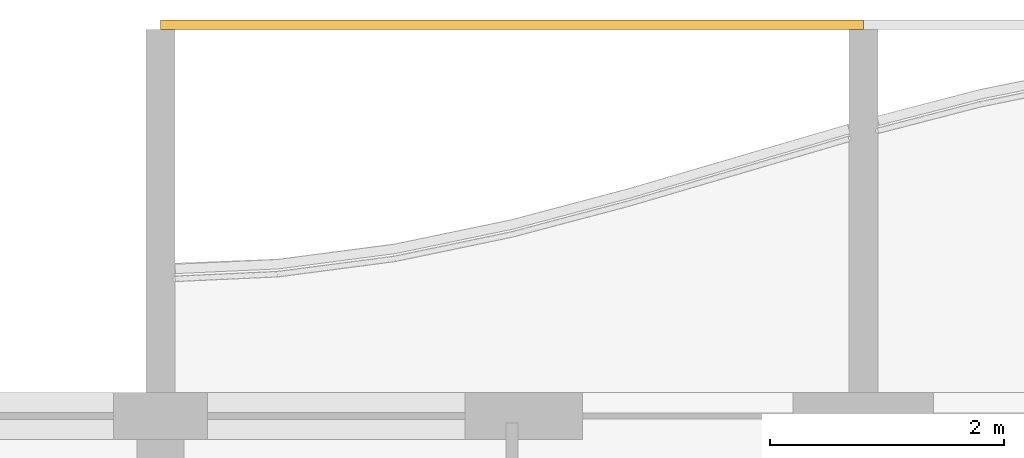
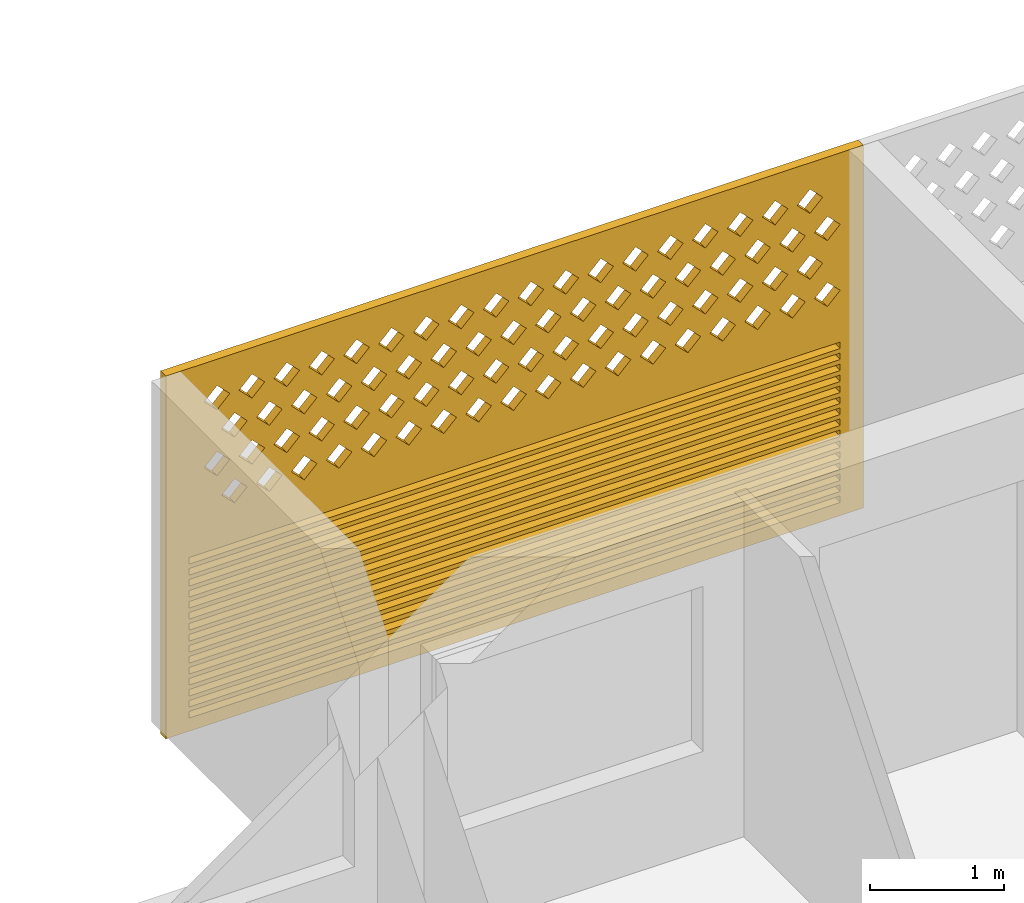
# One storey, part 32 of 38: 1 covering.
"""IFC4 building model written with IfcOpenShell, lengths in metres."""

from ifc_helpers import new_model, si_unit, direction, frame, origin, place, context, subcontext, project, spatial, polyline, outline, extrude, source, transform, mapped, material, material_profile, profile_set, type_object, element, save


model = new_model("IFC4")

# Units and contexts
model_context = context("Model", 3, precision=1e-05, world=origin(), true_north=direction((0.0, 1.0)))
body_context = subcontext(model_context, "Body", "Model", "MODEL_VIEW")
ifc_project = project(units=[si_unit("LENGTHUNIT", "METRE"), si_unit("AREAUNIT", "SQUARE_METRE"), si_unit("VOLUMEUNIT", "CUBIC_METRE"), si_unit("PLANEANGLEUNIT", "RADIAN"), si_unit("MASSUNIT", "GRAM", prefix="KILO")], contexts=[model_context])

# Site, building, storey
site_placement = place(None, origin())
site = spatial("IfcSite", under=ifc_project, at=site_placement, CompositionType="ELEMENT")
building_placement = place(site_placement, origin())
building = spatial("IfcBuilding", under=site, at=building_placement, Name="Poui Terraces", CompositionType="ELEMENT")
storey_placement = place(building_placement, frame((0.0, 0.0, 46.5)))
storey = spatial("IfcBuildingStorey", under=building, at=storey_placement, Name="L12", CompositionType="ELEMENT", Elevation=46.5)

# Covering
ifc_material = material(Name="Terracotta screen", Category="masonry")
ifc_material_profile = material_profile(ifc_material, outline(polyline([(-3.0, -1.64990234375), (3.0, -1.64990234375), (3.0, 1.64990234375), (-3.0, 1.64990234375), (-3.0, -1.64990234375)]), holes=[polyline([(-2.800048828125, 0.39990234375), (-2.68994140625, 0.2900390625), (-2.580078125, 0.39990234375), (-2.68994140625, 0.510009765625), (-2.800048828125, 0.39990234375)]), polyline([(-2.5, 0.39990234375), (-2.389892578125, 0.2900390625), (-2.280029296875, 0.39990234375), (-2.389892578125, 0.510009765625), (-2.5, 0.39990234375)]), polyline([(-2.199951171875, 0.39990234375), (-2.090087890625, 0.2900390625), (-1.97998046875, 0.39990234375), (-2.090087890625, 0.510009765625), (-2.199951171875, 0.39990234375)]), polyline([(-1.89990234375, 0.39990234375), (-1.7900390625, 0.2900390625), (-1.679931640625, 0.39990234375), (-1.7900390625, 0.510009765625), (-1.89990234375, 0.39990234375)]), polyline([(-1.60009765625, 0.39990234375), (-1.489990234375, 0.2900390625), (-1.3798828125, 0.39990234375), (-1.489990234375, 0.510009765625), (-1.60009765625, 0.39990234375)]), polyline([(-1.300048828125, 0.39990234375), (-1.18994140625, 0.2900390625), (-1.080078125, 0.39990234375), (-1.18994140625, 0.510009765625), (-1.300048828125, 0.39990234375)]), polyline([(-1.0, 0.39990234375), (-0.889892578125, 0.2900390625), (-0.780029296875, 0.39990234375), (-0.889892578125, 0.510009765625), (-1.0, 0.39990234375)]), polyline([(-0.699951171875, 0.39990234375), (-0.590087890625, 0.2900390625), (-0.47998046875, 0.39990234375), (-0.590087890625, 0.510009765625), (-0.699951171875, 0.39990234375)]), polyline([(-0.39990234375, 0.39990234375), (-0.2900390625, 0.2900390625), (-0.179931640625, 0.39990234375), (-0.2900390625, 0.510009765625), (-0.39990234375, 0.39990234375)]), polyline([(-0.10009765625, 0.39990234375), (0.010009765625, 0.2900390625), (0.1201171875, 0.39990234375), (0.010009765625, 0.510009765625), (-0.10009765625, 0.39990234375)]), polyline([(0.199951171875, 0.39990234375), (0.31005859375, 0.2900390625), (0.419921875, 0.39990234375), (0.31005859375, 0.510009765625), (0.199951171875, 0.39990234375)]), polyline([(0.5, 0.39990234375), (0.610107421875, 0.2900390625), (0.719970703125, 0.39990234375), (0.610107421875, 0.510009765625), (0.5, 0.39990234375)]), polyline([(0.800048828125, 0.39990234375), (0.909912109375, 0.2900390625), (1.02001953125, 0.39990234375), (0.909912109375, 0.510009765625), (0.800048828125, 0.39990234375)]), polyline([(1.10009765625, 0.39990234375), (1.2099609375, 0.2900390625), (1.320068359375, 0.39990234375), (1.2099609375, 0.510009765625), (1.10009765625, 0.39990234375)]), polyline([(1.39990234375, 0.39990234375), (1.510009765625, 0.2900390625), (1.6201171875, 0.39990234375), (1.510009765625, 0.510009765625), (1.39990234375, 0.39990234375)]), polyline([(1.699951171875, 0.39990234375), (1.81005859375, 0.2900390625), (1.919921875, 0.39990234375), (1.81005859375, 0.510009765625), (1.699951171875, 0.39990234375)]), polyline([(2.0, 0.39990234375), (2.110107421875, 0.2900390625), (2.219970703125, 0.39990234375), (2.110107421875, 0.510009765625), (2.0, 0.39990234375)]), polyline([(2.300048828125, 0.39990234375), (2.409912109375, 0.2900390625), (2.52001953125, 0.39990234375), (2.409912109375, 0.510009765625), (2.300048828125, 0.39990234375)]), polyline([(-2.64990234375, 0.699951171875), (-2.5400390625, 0.590087890625), (-2.429931640625, 0.699951171875), (-2.5400390625, 0.81005859375), (-2.64990234375, 0.699951171875)]), polyline([(-2.35009765625, 0.699951171875), (-2.239990234375, 0.590087890625), (-2.1298828125, 0.699951171875), (-2.239990234375, 0.81005859375), (-2.35009765625, 0.699951171875)]), polyline([(-2.050048828125, 0.699951171875), (-1.93994140625, 0.590087890625), (-1.830078125, 0.699951171875), (-1.93994140625, 0.81005859375), (-2.050048828125, 0.699951171875)]), polyline([(-1.75, 0.699951171875), (-1.639892578125, 0.590087890625), (-1.530029296875, 0.699951171875), (-1.639892578125, 0.81005859375), (-1.75, 0.699951171875)]), polyline([(-1.449951171875, 0.699951171875), (-1.340087890625, 0.590087890625), (-1.22998046875, 0.699951171875), (-1.340087890625, 0.81005859375), (-1.449951171875, 0.699951171875)]), polyline([(-1.14990234375, 0.699951171875), (-1.0400390625, 0.590087890625), (-0.929931640625, 0.699951171875), (-1.0400390625, 0.81005859375), (-1.14990234375, 0.699951171875)]), polyline([(-0.85009765625, 0.699951171875), (-0.739990234375, 0.590087890625), (-0.6298828125, 0.699951171875), (-0.739990234375, 0.81005859375), (-0.85009765625, 0.699951171875)]), polyline([(-0.550048828125, 0.699951171875), (-0.43994140625, 0.590087890625), (-0.330078125, 0.699951171875), (-0.43994140625, 0.81005859375), (-0.550048828125, 0.699951171875)]), polyline([(-0.25, 0.699951171875), (-0.139892578125, 0.590087890625), (-0.030029296875, 0.699951171875), (-0.139892578125, 0.81005859375), (-0.25, 0.699951171875)]), polyline([(0.050048828125, 0.699951171875), (0.159912109375, 0.590087890625), (0.27001953125, 0.699951171875), (0.159912109375, 0.81005859375), (0.050048828125, 0.699951171875)]), polyline([(0.35009765625, 0.699951171875), (0.4599609375, 0.590087890625), (0.570068359375, 0.699951171875), (0.4599609375, 0.81005859375), (0.35009765625, 0.699951171875)]), polyline([(0.64990234375, 0.699951171875), (0.760009765625, 0.590087890625), (0.8701171875, 0.699951171875), (0.760009765625, 0.81005859375), (0.64990234375, 0.699951171875)]), polyline([(0.949951171875, 0.699951171875), (1.06005859375, 0.590087890625), (1.169921875, 0.699951171875), (1.06005859375, 0.81005859375), (0.949951171875, 0.699951171875)]), polyline([(1.25, 0.699951171875), (1.360107421875, 0.590087890625), (1.469970703125, 0.699951171875), (1.360107421875, 0.81005859375), (1.25, 0.699951171875)]), polyline([(1.550048828125, 0.699951171875), (1.659912109375, 0.590087890625), (1.77001953125, 0.699951171875), (1.659912109375, 0.81005859375), (1.550048828125, 0.699951171875)]), polyline([(1.85009765625, 0.699951171875), (1.9599609375, 0.590087890625), (2.070068359375, 0.699951171875), (1.9599609375, 0.81005859375), (1.85009765625, 0.699951171875)]), polyline([(2.14990234375, 0.699951171875), (2.260009765625, 0.590087890625), (2.3701171875, 0.699951171875), (2.260009765625, 0.81005859375), (2.14990234375, 0.699951171875)]), polyline([(2.449951171875, 0.699951171875), (2.56005859375, 0.590087890625), (2.669921875, 0.699951171875), (2.56005859375, 0.81005859375), (2.449951171875, 0.699951171875)]), polyline([(-2.800048828125, 1.0), (-2.68994140625, 0.889892578125), (-2.580078125, 1.0), (-2.68994140625, 1.110107421875), (-2.800048828125, 1.0)]), polyline([(-2.5, 1.0), (-2.389892578125, 0.889892578125), (-2.280029296875, 1.0), (-2.389892578125, 1.110107421875), (-2.5, 1.0)]), polyline([(-2.199951171875, 1.0), (-2.090087890625, 0.889892578125), (-1.97998046875, 1.0), (-2.090087890625, 1.110107421875), (-2.199951171875, 1.0)]), polyline([(-1.89990234375, 1.0), (-1.7900390625, 0.889892578125), (-1.679931640625, 1.0), (-1.7900390625, 1.110107421875), (-1.89990234375, 1.0)]), polyline([(-1.60009765625, 1.0), (-1.489990234375, 0.889892578125), (-1.3798828125, 1.0), (-1.489990234375, 1.110107421875), (-1.60009765625, 1.0)]), polyline([(-1.300048828125, 1.0), (-1.18994140625, 0.889892578125), (-1.080078125, 1.0), (-1.18994140625, 1.110107421875), (-1.300048828125, 1.0)]), polyline([(-1.0, 1.0), (-0.889892578125, 0.889892578125), (-0.780029296875, 1.0), (-0.889892578125, 1.110107421875), (-1.0, 1.0)]), polyline([(-0.699951171875, 1.0), (-0.590087890625, 0.889892578125), (-0.47998046875, 1.0), (-0.590087890625, 1.110107421875), (-0.699951171875, 1.0)]), polyline([(-0.39990234375, 1.0), (-0.2900390625, 0.889892578125), (-0.179931640625, 1.0), (-0.2900390625, 1.110107421875), (-0.39990234375, 1.0)]), polyline([(-0.10009765625, 1.0), (0.010009765625, 0.889892578125), (0.1201171875, 1.0), (0.010009765625, 1.110107421875), (-0.10009765625, 1.0)]), polyline([(0.199951171875, 1.0), (0.31005859375, 0.889892578125), (0.419921875, 1.0), (0.31005859375, 1.110107421875), (0.199951171875, 1.0)]), polyline([(0.5, 1.0), (0.610107421875, 0.889892578125), (0.719970703125, 1.0), (0.610107421875, 1.110107421875), (0.5, 1.0)]), polyline([(0.800048828125, 1.0), (0.909912109375, 0.889892578125), (1.02001953125, 1.0), (0.909912109375, 1.110107421875), (0.800048828125, 1.0)]), polyline([(1.10009765625, 1.0), (1.2099609375, 0.889892578125), (1.320068359375, 1.0), (1.2099609375, 1.110107421875), (1.10009765625, 1.0)]), polyline([(1.39990234375, 1.0), (1.510009765625, 0.889892578125), (1.6201171875, 1.0), (1.510009765625, 1.110107421875), (1.39990234375, 1.0)]), polyline([(1.699951171875, 1.0), (1.81005859375, 0.889892578125), (1.919921875, 1.0), (1.81005859375, 1.110107421875), (1.699951171875, 1.0)]), polyline([(2.0, 1.0), (2.110107421875, 0.889892578125), (2.219970703125, 1.0), (2.110107421875, 1.110107421875), (2.0, 1.0)]), polyline([(2.300048828125, 1.0), (2.409912109375, 0.889892578125), (2.52001953125, 1.0), (2.409912109375, 1.110107421875), (2.300048828125, 1.0)]), polyline([(-2.64990234375, 1.300048828125), (-2.5400390625, 1.18994140625), (-2.429931640625, 1.300048828125), (-2.5400390625, 1.409912109375), (-2.64990234375, 1.300048828125)]), polyline([(-2.35009765625, 1.300048828125), (-2.239990234375, 1.18994140625), (-2.1298828125, 1.300048828125), (-2.239990234375, 1.409912109375), (-2.35009765625, 1.300048828125)]), polyline([(-2.050048828125, 1.300048828125), (-1.93994140625, 1.18994140625), (-1.830078125, 1.300048828125), (-1.93994140625, 1.409912109375), (-2.050048828125, 1.300048828125)]), polyline([(-1.75, 1.300048828125), (-1.639892578125, 1.18994140625), (-1.530029296875, 1.300048828125), (-1.639892578125, 1.409912109375), (-1.75, 1.300048828125)]), polyline([(-1.449951171875, 1.300048828125), (-1.340087890625, 1.18994140625), (-1.22998046875, 1.300048828125), (-1.340087890625, 1.409912109375), (-1.449951171875, 1.300048828125)]), polyline([(-1.14990234375, 1.300048828125), (-1.0400390625, 1.18994140625), (-0.929931640625, 1.300048828125), (-1.0400390625, 1.409912109375), (-1.14990234375, 1.300048828125)]), polyline([(-0.85009765625, 1.300048828125), (-0.739990234375, 1.18994140625), (-0.6298828125, 1.300048828125), (-0.739990234375, 1.409912109375), (-0.85009765625, 1.300048828125)]), polyline([(-0.550048828125, 1.300048828125), (-0.43994140625, 1.18994140625), (-0.330078125, 1.300048828125), (-0.43994140625, 1.409912109375), (-0.550048828125, 1.300048828125)]), polyline([(-0.25, 1.300048828125), (-0.139892578125, 1.18994140625), (-0.030029296875, 1.300048828125), (-0.139892578125, 1.409912109375), (-0.25, 1.300048828125)]), polyline([(0.050048828125, 1.300048828125), (0.159912109375, 1.18994140625), (0.27001953125, 1.300048828125), (0.159912109375, 1.409912109375), (0.050048828125, 1.300048828125)]), polyline([(0.35009765625, 1.300048828125), (0.4599609375, 1.18994140625), (0.570068359375, 1.300048828125), (0.4599609375, 1.409912109375), (0.35009765625, 1.300048828125)]), polyline([(0.64990234375, 1.300048828125), (0.760009765625, 1.18994140625), (0.8701171875, 1.300048828125), (0.760009765625, 1.409912109375), (0.64990234375, 1.300048828125)]), polyline([(0.949951171875, 1.300048828125), (1.06005859375, 1.18994140625), (1.169921875, 1.300048828125), (1.06005859375, 1.409912109375), (0.949951171875, 1.300048828125)]), polyline([(1.25, 1.300048828125), (1.360107421875, 1.18994140625), (1.469970703125, 1.300048828125), (1.360107421875, 1.409912109375), (1.25, 1.300048828125)]), polyline([(1.550048828125, 1.300048828125), (1.659912109375, 1.18994140625), (1.77001953125, 1.300048828125), (1.659912109375, 1.409912109375), (1.550048828125, 1.300048828125)]), polyline([(1.85009765625, 1.300048828125), (1.9599609375, 1.18994140625), (2.070068359375, 1.300048828125), (1.9599609375, 1.409912109375), (1.85009765625, 1.300048828125)]), polyline([(2.14990234375, 1.300048828125), (2.260009765625, 1.18994140625), (2.3701171875, 1.300048828125), (2.260009765625, 1.409912109375), (2.14990234375, 1.300048828125)]), polyline([(2.449951171875, 1.300048828125), (2.56005859375, 1.18994140625), (2.669921875, 1.300048828125), (2.56005859375, 1.409912109375), (2.449951171875, 1.300048828125)]), polyline([(-2.800048828125, -1.530029296875), (2.800048828125, -1.530029296875), (2.800048828125, -1.469970703125), (-2.800048828125, -1.469970703125), (-2.800048828125, -1.530029296875)]), polyline([(-2.800048828125, -1.429931640625), (2.800048828125, -1.429931640625), (2.800048828125, -1.3701171875), (-2.800048828125, -1.3701171875), (-2.800048828125, -1.429931640625)]), polyline([(-2.800048828125, -1.330078125), (2.800048828125, -1.330078125), (2.800048828125, -1.27001953125), (-2.800048828125, -1.27001953125), (-2.800048828125, -1.330078125)]), polyline([(-2.800048828125, -1.22998046875), (2.800048828125, -1.22998046875), (2.800048828125, -1.169921875), (-2.800048828125, -1.169921875), (-2.800048828125, -1.22998046875)]), polyline([(-2.800048828125, -1.1298828125), (2.800048828125, -1.1298828125), (2.800048828125, -1.070068359375), (-2.800048828125, -1.070068359375), (-2.800048828125, -1.1298828125)]), polyline([(-2.800048828125, -1.030029296875), (2.800048828125, -1.030029296875), (2.800048828125, -0.969970703125), (-2.800048828125, -0.969970703125), (-2.800048828125, -1.030029296875)]), polyline([(-2.800048828125, -0.929931640625), (2.800048828125, -0.929931640625), (2.800048828125, -0.8701171875), (-2.800048828125, -0.8701171875), (-2.800048828125, -0.929931640625)]), polyline([(-2.800048828125, -0.830078125), (2.800048828125, -0.830078125), (2.800048828125, -0.77001953125), (-2.800048828125, -0.77001953125), (-2.800048828125, -0.830078125)]), polyline([(-2.800048828125, -0.72998046875), (2.800048828125, -0.72998046875), (2.800048828125, -0.669921875), (-2.800048828125, -0.669921875), (-2.800048828125, -0.72998046875)]), polyline([(-2.800048828125, -0.6298828125), (2.800048828125, -0.6298828125), (2.800048828125, -0.570068359375), (-2.800048828125, -0.570068359375), (-2.800048828125, -0.6298828125)]), polyline([(-2.800048828125, -0.530029296875), (2.800048828125, -0.530029296875), (2.800048828125, -0.469970703125), (-2.800048828125, -0.469970703125), (-2.800048828125, -0.530029296875)]), polyline([(-2.800048828125, -0.429931640625), (2.800048828125, -0.429931640625), (2.800048828125, -0.3701171875), (-2.800048828125, -0.3701171875), (-2.800048828125, -0.429931640625)]), polyline([(-2.800048828125, -0.330078125), (2.800048828125, -0.330078125), (2.800048828125, -0.27001953125), (-2.800048828125, -0.27001953125), (-2.800048828125, -0.330078125)]), polyline([(-2.800048828125, -0.22998046875), (2.800048828125, -0.22998046875), (2.800048828125, -0.169921875), (-2.800048828125, -0.169921875), (-2.800048828125, -0.22998046875)]), polyline([(-2.800048828125, -0.1298828125), (2.800048828125, -0.1298828125), (2.800048828125, -0.070068359375), (-2.800048828125, -0.070068359375), (-2.800048828125, -0.1298828125)])]), Name="TERRACOTTA SCREEN AND JALOUSIE LOUVRE 6000X3300")
ifc_profile_set = profile_set([ifc_material_profile], Name="Terracotta screen")
covering_type = type_object("IfcCoveringType", Name="TERRACOTTA SCREEN AND JALOUSIE LOUVRE 6000X3300", PredefinedType="CLADDING", material=ifc_profile_set)
shared_shape = source(origin(), body_context, "Body", "SweptSolid", [
    extrude(outline(polyline([(-3.0, -1.64990234375), (3.0, -1.64990234375), (3.0, 1.64990234375), (-3.0, 1.64990234375), (-3.0, -1.64990234375)]), holes=[polyline([(-2.800048828125, 0.39990234375), (-2.68994140625, 0.2900390625), (-2.580078125, 0.39990234375), (-2.68994140625, 0.510009765625), (-2.800048828125, 0.39990234375)]), polyline([(-2.5, 0.39990234375), (-2.389892578125, 0.2900390625), (-2.280029296875, 0.39990234375), (-2.389892578125, 0.510009765625), (-2.5, 0.39990234375)]), polyline([(-2.199951171875, 0.39990234375), (-2.090087890625, 0.2900390625), (-1.97998046875, 0.39990234375), (-2.090087890625, 0.510009765625), (-2.199951171875, 0.39990234375)]), polyline([(-1.89990234375, 0.39990234375), (-1.7900390625, 0.2900390625), (-1.679931640625, 0.39990234375), (-1.7900390625, 0.510009765625), (-1.89990234375, 0.39990234375)]), polyline([(-1.60009765625, 0.39990234375), (-1.489990234375, 0.2900390625), (-1.3798828125, 0.39990234375), (-1.489990234375, 0.510009765625), (-1.60009765625, 0.39990234375)]), polyline([(-1.300048828125, 0.39990234375), (-1.18994140625, 0.2900390625), (-1.080078125, 0.39990234375), (-1.18994140625, 0.510009765625), (-1.300048828125, 0.39990234375)]), polyline([(-1.0, 0.39990234375), (-0.889892578125, 0.2900390625), (-0.780029296875, 0.39990234375), (-0.889892578125, 0.510009765625), (-1.0, 0.39990234375)]), polyline([(-0.699951171875, 0.39990234375), (-0.590087890625, 0.2900390625), (-0.47998046875, 0.39990234375), (-0.590087890625, 0.510009765625), (-0.699951171875, 0.39990234375)]), polyline([(-0.39990234375, 0.39990234375), (-0.2900390625, 0.2900390625), (-0.179931640625, 0.39990234375), (-0.2900390625, 0.510009765625), (-0.39990234375, 0.39990234375)]), polyline([(-0.10009765625, 0.39990234375), (0.010009765625, 0.2900390625), (0.1201171875, 0.39990234375), (0.010009765625, 0.510009765625), (-0.10009765625, 0.39990234375)]), polyline([(0.199951171875, 0.39990234375), (0.31005859375, 0.2900390625), (0.419921875, 0.39990234375), (0.31005859375, 0.510009765625), (0.199951171875, 0.39990234375)]), polyline([(0.5, 0.39990234375), (0.610107421875, 0.2900390625), (0.719970703125, 0.39990234375), (0.610107421875, 0.510009765625), (0.5, 0.39990234375)]), polyline([(0.800048828125, 0.39990234375), (0.909912109375, 0.2900390625), (1.02001953125, 0.39990234375), (0.909912109375, 0.510009765625), (0.800048828125, 0.39990234375)]), polyline([(1.10009765625, 0.39990234375), (1.2099609375, 0.2900390625), (1.320068359375, 0.39990234375), (1.2099609375, 0.510009765625), (1.10009765625, 0.39990234375)]), polyline([(1.39990234375, 0.39990234375), (1.510009765625, 0.2900390625), (1.6201171875, 0.39990234375), (1.510009765625, 0.510009765625), (1.39990234375, 0.39990234375)]), polyline([(1.699951171875, 0.39990234375), (1.81005859375, 0.2900390625), (1.919921875, 0.39990234375), (1.81005859375, 0.510009765625), (1.699951171875, 0.39990234375)]), polyline([(2.0, 0.39990234375), (2.110107421875, 0.2900390625), (2.219970703125, 0.39990234375), (2.110107421875, 0.510009765625), (2.0, 0.39990234375)]), polyline([(2.300048828125, 0.39990234375), (2.409912109375, 0.2900390625), (2.52001953125, 0.39990234375), (2.409912109375, 0.510009765625), (2.300048828125, 0.39990234375)]), polyline([(-2.64990234375, 0.699951171875), (-2.5400390625, 0.590087890625), (-2.429931640625, 0.699951171875), (-2.5400390625, 0.81005859375), (-2.64990234375, 0.699951171875)]), polyline([(-2.35009765625, 0.699951171875), (-2.239990234375, 0.590087890625), (-2.1298828125, 0.699951171875), (-2.239990234375, 0.81005859375), (-2.35009765625, 0.699951171875)]), polyline([(-2.050048828125, 0.699951171875), (-1.93994140625, 0.590087890625), (-1.830078125, 0.699951171875), (-1.93994140625, 0.81005859375), (-2.050048828125, 0.699951171875)]), polyline([(-1.75, 0.699951171875), (-1.639892578125, 0.590087890625), (-1.530029296875, 0.699951171875), (-1.639892578125, 0.81005859375), (-1.75, 0.699951171875)]), polyline([(-1.449951171875, 0.699951171875), (-1.340087890625, 0.590087890625), (-1.22998046875, 0.699951171875), (-1.340087890625, 0.81005859375), (-1.449951171875, 0.699951171875)]), polyline([(-1.14990234375, 0.699951171875), (-1.0400390625, 0.590087890625), (-0.929931640625, 0.699951171875), (-1.0400390625, 0.81005859375), (-1.14990234375, 0.699951171875)]), polyline([(-0.85009765625, 0.699951171875), (-0.739990234375, 0.590087890625), (-0.6298828125, 0.699951171875), (-0.739990234375, 0.81005859375), (-0.85009765625, 0.699951171875)]), polyline([(-0.550048828125, 0.699951171875), (-0.43994140625, 0.590087890625), (-0.330078125, 0.699951171875), (-0.43994140625, 0.81005859375), (-0.550048828125, 0.699951171875)]), polyline([(-0.25, 0.699951171875), (-0.139892578125, 0.590087890625), (-0.030029296875, 0.699951171875), (-0.139892578125, 0.81005859375), (-0.25, 0.699951171875)]), polyline([(0.050048828125, 0.699951171875), (0.159912109375, 0.590087890625), (0.27001953125, 0.699951171875), (0.159912109375, 0.81005859375), (0.050048828125, 0.699951171875)]), polyline([(0.35009765625, 0.699951171875), (0.4599609375, 0.590087890625), (0.570068359375, 0.699951171875), (0.4599609375, 0.81005859375), (0.35009765625, 0.699951171875)]), polyline([(0.64990234375, 0.699951171875), (0.760009765625, 0.590087890625), (0.8701171875, 0.699951171875), (0.760009765625, 0.81005859375), (0.64990234375, 0.699951171875)]), polyline([(0.949951171875, 0.699951171875), (1.06005859375, 0.590087890625), (1.169921875, 0.699951171875), (1.06005859375, 0.81005859375), (0.949951171875, 0.699951171875)]), polyline([(1.25, 0.699951171875), (1.360107421875, 0.590087890625), (1.469970703125, 0.699951171875), (1.360107421875, 0.81005859375), (1.25, 0.699951171875)]), polyline([(1.550048828125, 0.699951171875), (1.659912109375, 0.590087890625), (1.77001953125, 0.699951171875), (1.659912109375, 0.81005859375), (1.550048828125, 0.699951171875)]), polyline([(1.85009765625, 0.699951171875), (1.9599609375, 0.590087890625), (2.070068359375, 0.699951171875), (1.9599609375, 0.81005859375), (1.85009765625, 0.699951171875)]), polyline([(2.14990234375, 0.699951171875), (2.260009765625, 0.590087890625), (2.3701171875, 0.699951171875), (2.260009765625, 0.81005859375), (2.14990234375, 0.699951171875)]), polyline([(2.449951171875, 0.699951171875), (2.56005859375, 0.590087890625), (2.669921875, 0.699951171875), (2.56005859375, 0.81005859375), (2.449951171875, 0.699951171875)]), polyline([(-2.800048828125, 1.0), (-2.68994140625, 0.889892578125), (-2.580078125, 1.0), (-2.68994140625, 1.110107421875), (-2.800048828125, 1.0)]), polyline([(-2.5, 1.0), (-2.389892578125, 0.889892578125), (-2.280029296875, 1.0), (-2.389892578125, 1.110107421875), (-2.5, 1.0)]), polyline([(-2.199951171875, 1.0), (-2.090087890625, 0.889892578125), (-1.97998046875, 1.0), (-2.090087890625, 1.110107421875), (-2.199951171875, 1.0)]), polyline([(-1.89990234375, 1.0), (-1.7900390625, 0.889892578125), (-1.679931640625, 1.0), (-1.7900390625, 1.110107421875), (-1.89990234375, 1.0)]), polyline([(-1.60009765625, 1.0), (-1.489990234375, 0.889892578125), (-1.3798828125, 1.0), (-1.489990234375, 1.110107421875), (-1.60009765625, 1.0)]), polyline([(-1.300048828125, 1.0), (-1.18994140625, 0.889892578125), (-1.080078125, 1.0), (-1.18994140625, 1.110107421875), (-1.300048828125, 1.0)]), polyline([(-1.0, 1.0), (-0.889892578125, 0.889892578125), (-0.780029296875, 1.0), (-0.889892578125, 1.110107421875), (-1.0, 1.0)]), polyline([(-0.699951171875, 1.0), (-0.590087890625, 0.889892578125), (-0.47998046875, 1.0), (-0.590087890625, 1.110107421875), (-0.699951171875, 1.0)]), polyline([(-0.39990234375, 1.0), (-0.2900390625, 0.889892578125), (-0.179931640625, 1.0), (-0.2900390625, 1.110107421875), (-0.39990234375, 1.0)]), polyline([(-0.10009765625, 1.0), (0.010009765625, 0.889892578125), (0.1201171875, 1.0), (0.010009765625, 1.110107421875), (-0.10009765625, 1.0)]), polyline([(0.199951171875, 1.0), (0.31005859375, 0.889892578125), (0.419921875, 1.0), (0.31005859375, 1.110107421875), (0.199951171875, 1.0)]), polyline([(0.5, 1.0), (0.610107421875, 0.889892578125), (0.719970703125, 1.0), (0.610107421875, 1.110107421875), (0.5, 1.0)]), polyline([(0.800048828125, 1.0), (0.909912109375, 0.889892578125), (1.02001953125, 1.0), (0.909912109375, 1.110107421875), (0.800048828125, 1.0)]), polyline([(1.10009765625, 1.0), (1.2099609375, 0.889892578125), (1.320068359375, 1.0), (1.2099609375, 1.110107421875), (1.10009765625, 1.0)]), polyline([(1.39990234375, 1.0), (1.510009765625, 0.889892578125), (1.6201171875, 1.0), (1.510009765625, 1.110107421875), (1.39990234375, 1.0)]), polyline([(1.699951171875, 1.0), (1.81005859375, 0.889892578125), (1.919921875, 1.0), (1.81005859375, 1.110107421875), (1.699951171875, 1.0)]), polyline([(2.0, 1.0), (2.110107421875, 0.889892578125), (2.219970703125, 1.0), (2.110107421875, 1.110107421875), (2.0, 1.0)]), polyline([(2.300048828125, 1.0), (2.409912109375, 0.889892578125), (2.52001953125, 1.0), (2.409912109375, 1.110107421875), (2.300048828125, 1.0)]), polyline([(-2.64990234375, 1.300048828125), (-2.5400390625, 1.18994140625), (-2.429931640625, 1.300048828125), (-2.5400390625, 1.409912109375), (-2.64990234375, 1.300048828125)]), polyline([(-2.35009765625, 1.300048828125), (-2.239990234375, 1.18994140625), (-2.1298828125, 1.300048828125), (-2.239990234375, 1.409912109375), (-2.35009765625, 1.300048828125)]), polyline([(-2.050048828125, 1.300048828125), (-1.93994140625, 1.18994140625), (-1.830078125, 1.300048828125), (-1.93994140625, 1.409912109375), (-2.050048828125, 1.300048828125)]), polyline([(-1.75, 1.300048828125), (-1.639892578125, 1.18994140625), (-1.530029296875, 1.300048828125), (-1.639892578125, 1.409912109375), (-1.75, 1.300048828125)]), polyline([(-1.449951171875, 1.300048828125), (-1.340087890625, 1.18994140625), (-1.22998046875, 1.300048828125), (-1.340087890625, 1.409912109375), (-1.449951171875, 1.300048828125)]), polyline([(-1.14990234375, 1.300048828125), (-1.0400390625, 1.18994140625), (-0.929931640625, 1.300048828125), (-1.0400390625, 1.409912109375), (-1.14990234375, 1.300048828125)]), polyline([(-0.85009765625, 1.300048828125), (-0.739990234375, 1.18994140625), (-0.6298828125, 1.300048828125), (-0.739990234375, 1.409912109375), (-0.85009765625, 1.300048828125)]), polyline([(-0.550048828125, 1.300048828125), (-0.43994140625, 1.18994140625), (-0.330078125, 1.300048828125), (-0.43994140625, 1.409912109375), (-0.550048828125, 1.300048828125)]), polyline([(-0.25, 1.300048828125), (-0.139892578125, 1.18994140625), (-0.030029296875, 1.300048828125), (-0.139892578125, 1.409912109375), (-0.25, 1.300048828125)]), polyline([(0.050048828125, 1.300048828125), (0.159912109375, 1.18994140625), (0.27001953125, 1.300048828125), (0.159912109375, 1.409912109375), (0.050048828125, 1.300048828125)]), polyline([(0.35009765625, 1.300048828125), (0.4599609375, 1.18994140625), (0.570068359375, 1.300048828125), (0.4599609375, 1.409912109375), (0.35009765625, 1.300048828125)]), polyline([(0.64990234375, 1.300048828125), (0.760009765625, 1.18994140625), (0.8701171875, 1.300048828125), (0.760009765625, 1.409912109375), (0.64990234375, 1.300048828125)]), polyline([(0.949951171875, 1.300048828125), (1.06005859375, 1.18994140625), (1.169921875, 1.300048828125), (1.06005859375, 1.409912109375), (0.949951171875, 1.300048828125)]), polyline([(1.25, 1.300048828125), (1.360107421875, 1.18994140625), (1.469970703125, 1.300048828125), (1.360107421875, 1.409912109375), (1.25, 1.300048828125)]), polyline([(1.550048828125, 1.300048828125), (1.659912109375, 1.18994140625), (1.77001953125, 1.300048828125), (1.659912109375, 1.409912109375), (1.550048828125, 1.300048828125)]), polyline([(1.85009765625, 1.300048828125), (1.9599609375, 1.18994140625), (2.070068359375, 1.300048828125), (1.9599609375, 1.409912109375), (1.85009765625, 1.300048828125)]), polyline([(2.14990234375, 1.300048828125), (2.260009765625, 1.18994140625), (2.3701171875, 1.300048828125), (2.260009765625, 1.409912109375), (2.14990234375, 1.300048828125)]), polyline([(2.449951171875, 1.300048828125), (2.56005859375, 1.18994140625), (2.669921875, 1.300048828125), (2.56005859375, 1.409912109375), (2.449951171875, 1.300048828125)]), polyline([(-2.800048828125, -1.530029296875), (2.800048828125, -1.530029296875), (2.800048828125, -1.469970703125), (-2.800048828125, -1.469970703125), (-2.800048828125, -1.530029296875)]), polyline([(-2.800048828125, -1.429931640625), (2.800048828125, -1.429931640625), (2.800048828125, -1.3701171875), (-2.800048828125, -1.3701171875), (-2.800048828125, -1.429931640625)]), polyline([(-2.800048828125, -1.330078125), (2.800048828125, -1.330078125), (2.800048828125, -1.27001953125), (-2.800048828125, -1.27001953125), (-2.800048828125, -1.330078125)]), polyline([(-2.800048828125, -1.22998046875), (2.800048828125, -1.22998046875), (2.800048828125, -1.169921875), (-2.800048828125, -1.169921875), (-2.800048828125, -1.22998046875)]), polyline([(-2.800048828125, -1.1298828125), (2.800048828125, -1.1298828125), (2.800048828125, -1.070068359375), (-2.800048828125, -1.070068359375), (-2.800048828125, -1.1298828125)]), polyline([(-2.800048828125, -1.030029296875), (2.800048828125, -1.030029296875), (2.800048828125, -0.969970703125), (-2.800048828125, -0.969970703125), (-2.800048828125, -1.030029296875)]), polyline([(-2.800048828125, -0.929931640625), (2.800048828125, -0.929931640625), (2.800048828125, -0.8701171875), (-2.800048828125, -0.8701171875), (-2.800048828125, -0.929931640625)]), polyline([(-2.800048828125, -0.830078125), (2.800048828125, -0.830078125), (2.800048828125, -0.77001953125), (-2.800048828125, -0.77001953125), (-2.800048828125, -0.830078125)]), polyline([(-2.800048828125, -0.72998046875), (2.800048828125, -0.72998046875), (2.800048828125, -0.669921875), (-2.800048828125, -0.669921875), (-2.800048828125, -0.72998046875)]), polyline([(-2.800048828125, -0.6298828125), (2.800048828125, -0.6298828125), (2.800048828125, -0.570068359375), (-2.800048828125, -0.570068359375), (-2.800048828125, -0.6298828125)]), polyline([(-2.800048828125, -0.530029296875), (2.800048828125, -0.530029296875), (2.800048828125, -0.469970703125), (-2.800048828125, -0.469970703125), (-2.800048828125, -0.530029296875)]), polyline([(-2.800048828125, -0.429931640625), (2.800048828125, -0.429931640625), (2.800048828125, -0.3701171875), (-2.800048828125, -0.3701171875), (-2.800048828125, -0.429931640625)]), polyline([(-2.800048828125, -0.330078125), (2.800048828125, -0.330078125), (2.800048828125, -0.27001953125), (-2.800048828125, -0.27001953125), (-2.800048828125, -0.330078125)]), polyline([(-2.800048828125, -0.22998046875), (2.800048828125, -0.22998046875), (2.800048828125, -0.169921875), (-2.800048828125, -0.169921875), (-2.800048828125, -0.22998046875)]), polyline([(-2.800048828125, -0.1298828125), (2.800048828125, -0.1298828125), (2.800048828125, -0.070068359375), (-2.800048828125, -0.070068359375), (-2.800048828125, -0.1298828125)])]), origin(), (0.0, 0.0, 1.0), 0.079833984375),
])
covering_placement = place(storey_placement, frame((69.0, 48.10009765625, 1.449951171875), z_axis=(0.0, 1.0, 0.0), x_axis=(-1.0, 0.0, 0.0)))
element("IfcCovering", 1, at=covering_placement, inside=storey, type_object=covering_type, Name="SOLAR SCREEN AND JALOUSIE LOUVRE", PredefinedType="CLADDING", context=body_context, shape_type="MappedRepresentation", body=[
    mapped(shared_shape, transform((0.0, 0.0, 0.0))),
])

save(model, "model.ifc")
